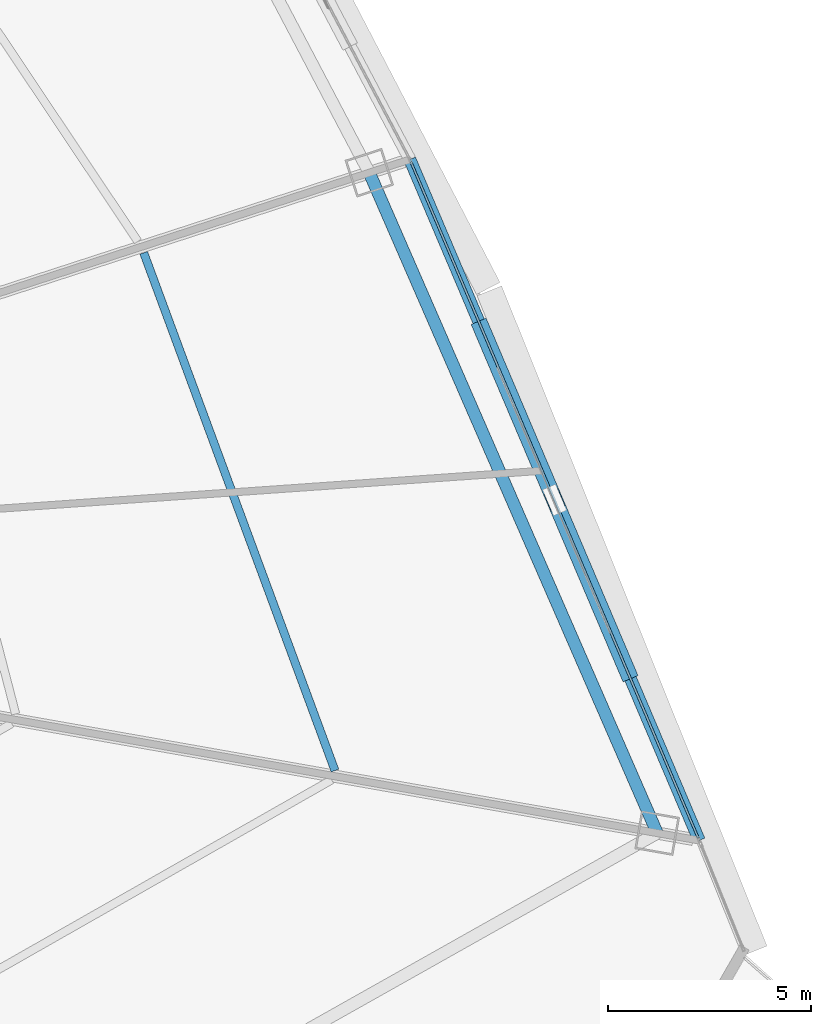
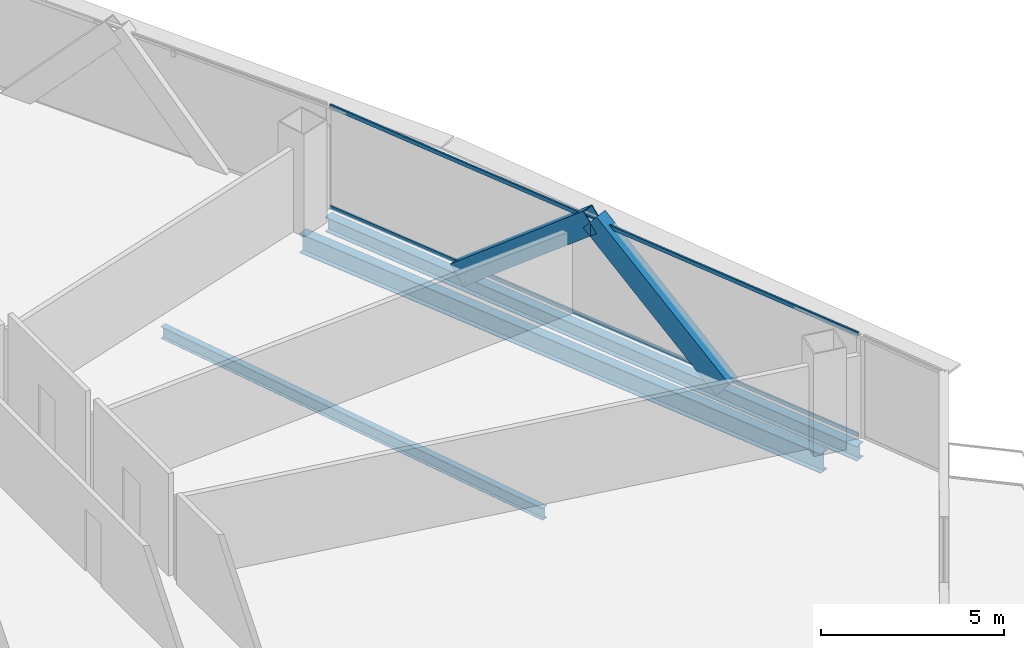
# One storey, part 27 of 39: 4 members, 3 beams, 1 element without a shape of its own.
"""IFC4 building model written with IfcOpenShell, lengths in metres."""

from ifc_helpers import new_model, si_unit, direction, frame, origin, origin_2d, place, context, subcontext, project, spatial, hollow_rectangle, i_section, extrude, source, transform, mapped, material, layer, layer_set, material_profile, profile_set, type_object, element, aggregate, save


model = new_model("IFC4")

# Units and contexts
model_context = context("Model", 3, precision=1e-05, world=origin(), true_north=direction((0.0, 1.0)))
body_context = subcontext(model_context, "Body", "Model", "MODEL_VIEW")
ifc_project = project(units=[si_unit("LENGTHUNIT", "METRE"), si_unit("AREAUNIT", "SQUARE_METRE"), si_unit("VOLUMEUNIT", "CUBIC_METRE"), si_unit("PLANEANGLEUNIT", "RADIAN"), si_unit("MASSUNIT", "GRAM", prefix="KILO"), si_unit("THERMODYNAMICTEMPERATUREUNIT", "KELVIN"), si_unit("POWERUNIT", "WATT")], contexts=[model_context])

# Site, building, storey
site_placement = place(None, origin())
site = spatial("IfcSite", under=ifc_project, at=site_placement, CompositionType="ELEMENT")
building_placement = place(site_placement, origin())
building = spatial("IfcBuilding", under=site, at=building_placement, Name="Yunzhuo Pagoda Commons", CompositionType="ELEMENT")
storey_placement = place(building_placement, frame((0.0, 0.0, 162.949951171875)))
storey = spatial("IfcBuildingStorey", under=building, at=storey_placement, Name="L41", CompositionType="ELEMENT", Elevation=162.949951171875)

# Beams
ifc_material_1 = material(Name="Structural steel Q355B", Category="steel")
ifc_material_profile_1 = material_profile(ifc_material_1, i_section(OverallWidth=0.300048828125, OverallDepth=0.64990234375, WebThickness=0.012939453125, FlangeThickness=0.02197265625, at=origin_2d()), Name="Structural steel Q355B")
ifc_profile_set_1 = profile_set([ifc_material_profile_1], Name="Structural steel Q355B")
beam_type_1 = type_object("IfcBeamType", Name="B-RG2 Beam HN 650x300x13x22", PredefinedType="BEAM", material=ifc_profile_set_1)
shared_shape_1 = source(origin(), body_context, "Body", "SweptSolid", [
    extrude(i_section(OverallWidth=0.300048828125, OverallDepth=0.64990234375, WebThickness=0.012939453125, FlangeThickness=0.02197265625, at=origin_2d()), origin(), (0.0, 0.0, 1.0), 17.72021484375),
])
beam_1_placement = place(storey_placement, frame((84.9970703125, 27.176513671875, -0.5849609375), z_axis=(-0.399643307961, 0.916670729544, 0.0), x_axis=(-0.916670729544, -0.399643307961, 0.0)))
element("IfcBeam", 1, at=beam_1_placement, inside=storey, type_object=beam_type_1, Name="L41 column-ring beam 5", PredefinedType="BEAM", context=body_context, shape_type="MappedRepresentation", body=[
    mapped(shared_shape_1, transform((0.0, 0.0, 0.0), scale=1.0)),
])
ifc_material_profile_2 = material_profile(ifc_material_1, i_section(OverallWidth=0.199951171875, OverallDepth=0.39990234375, WebThickness=0.008056640625, FlangeThickness=0.012939453125, at=origin_2d()), Name="Structural steel Q355B")
ifc_profile_set_2 = profile_set([ifc_material_profile_2], Name="Structural steel Q355B")
beam_type_2 = type_object("IfcBeamType", Name="B-JS1 Joist HN 400x200x8x13", PredefinedType="JOIST", material=ifc_profile_set_2)
shared_shape_2 = source(origin(), body_context, "Body", "SweptSolid", [
    extrude(i_section(OverallWidth=0.199951171875, OverallDepth=0.39990234375, WebThickness=0.008056640625, FlangeThickness=0.012939453125, at=origin_2d()), origin(), (0.0, 0.0, 1.0), 13.57763671875),
])
beam_2_placement = place(storey_placement, frame((77.07080078125, 28.71337890625, -0.4599609375), z_axis=(-0.346531829181, 0.938038214235, 0.0), x_axis=(-0.938038214235, -0.346531829181, 0.0)))
element("IfcBeam", 2, at=beam_2_placement, inside=storey, type_object=beam_type_2, Name="L41 composite ring joist 2.5", PredefinedType="JOIST", context=body_context, shape_type="MappedRepresentation", body=[
    mapped(shared_shape_2, transform((0.0, 0.0, 0.0), scale=1.0)),
])
ifc_material_profile_3 = material_profile(ifc_material_1, i_section(OverallWidth=0.300048828125, OverallDepth=0.488037109375, WebThickness=0.010986328125, FlangeThickness=0.01806640625, at=origin_2d()), Name="Structural steel Q355B")
ifc_profile_set_3 = profile_set([ifc_material_profile_3], Name="Structural steel Q355B")
beam_type_3 = type_object("IfcBeamType", Name="B-SP1 Beam HM 488x300x11x18", PredefinedType="BEAM", material=ifc_profile_set_3)
shared_shape_3 = source(origin(), body_context, "Body", "SweptSolid", [
    extrude(i_section(OverallWidth=0.300048828125, OverallDepth=0.488037109375, WebThickness=0.010986328125, FlangeThickness=0.01806640625, at=origin_2d()), origin(), (0.0, 0.0, 1.0), 18.199951171875),
])
beam_3_placement = place(storey_placement, frame((86.03125, 26.994140625, -0.50390625), z_axis=(-0.391069626014, 0.920361096314, 0.0), x_axis=(-0.920361096314, -0.391069626014, 0.0)))
element("IfcBeam", 3, at=beam_3_placement, inside=storey, type_object=beam_type_3, Name="L41 facade edge spandrel beam F2.1", PredefinedType="BEAM", context=body_context, shape_type="MappedRepresentation", body=[
    mapped(shared_shape_3, transform((0.0, 0.0, 0.0), scale=1.0)),
])

# Members
ifc_material_profile_4 = material_profile(ifc_material_1, hollow_rectangle(XDim=0.39990234375, YDim=0.719970703125, WallThickness=0.02392578125, at=origin_2d()), Name="Structural steel Q355B")
ifc_profile_set_4 = profile_set([ifc_material_profile_4], Name="Structural steel Q355B")
member_type_1 = type_object("IfcMemberType", Name="M-DL2 Brace BOX 720x400x24", PredefinedType="BRACE", material=ifc_profile_set_4)
shared_shape_4 = source(origin(), body_context, "Body", "SweptSolid", [
    extrude(hollow_rectangle(XDim=0.39990234375, YDim=0.719970703125, WallThickness=0.02392578125, at=origin_2d()), origin(), (0.0, 0.0, 1.0), 5.85205078125),
])
member_1_placement = place(storey_placement, frame((84.251953125, 31.181640625, -0.260009765625), z_axis=(-0.304083282209, 0.715590690044, 0.628858745509), x_axis=(-0.92035071495, -0.39109405709, 0.0)))
element("IfcMember", 4, at=member_1_placement, inside=storey, type_object=member_type_1, Name="L41 facade diamond brace F2.1L", PredefinedType="BRACE", context=body_context, shape_type="MappedRepresentation", body=[
    mapped(shared_shape_4, transform((0.0, 0.0, 0.0), scale=1.0)),
])
shared_shape_5 = source(origin(), body_context, "Body", "SweptSolid", [
    extrude(hollow_rectangle(XDim=0.39990234375, YDim=0.719970703125, WallThickness=0.02392578125, at=origin_2d()), origin(), (0.0, 0.0, 1.0), 5.851806640625),
])
member_2_placement = place(storey_placement, frame((80.693115234375, 39.556884765625, -0.260009765625), z_axis=(0.304054497982, -0.715579411277, 0.628885497061), x_axis=(0.920361821441, 0.391067919465, 0.0)))
element("IfcMember", 5, at=member_2_placement, inside=storey, type_object=member_type_1, Name="L41 facade diamond brace F2.1R", PredefinedType="BRACE", context=body_context, shape_type="MappedRepresentation", body=[
    mapped(shared_shape_5, transform((0.0, 0.0, 0.0), scale=1.0)),
])

# Curtain wall, members
ifc_material_2 = material(Name="Anodized aluminium 6063-T6", Category="aluminium")
ifc_layer = layer(ifc_material_2, 0.14990234375)
ifc_layer_set = layer_set([ifc_layer], Name="Anodized aluminium 6063-T6")
curtain_wall_type = type_object("IfcCurtainWallType", Name="CW-MID Mid-Zone Ribbon Curtain Wall", PredefinedType="NOTDEFINED", material=ifc_layer_set)
curtain_wall_placement = place(storey_placement, origin())
curtain_wall = element("IfcCurtainWall", 6, at=curtain_wall_placement, inside=storey, type_object=curtain_wall_type, Name="L41 curtain wall CW-L41-F2B2", PredefinedType="NOTDEFINED")
ifc_material_profile_5 = material_profile(ifc_material_2, hollow_rectangle(XDim=0.054931640625, YDim=0.1298828125, WallThickness=0.00341796875, at=origin_2d()), Name="Anodized aluminium 6063-T6")
ifc_profile_set_5 = profile_set([ifc_material_profile_5], Name="Anodized aluminium 6063-T6")
member_type_2 = type_object("IfcMemberType", Name="CW-MID-T Transom RHS 130x55x3.5", PredefinedType="USERDEFINED", material=ifc_profile_set_5)
shared_shape_6 = source(origin(), body_context, "Body", "SweptSolid", [
    extrude(hollow_rectangle(XDim=0.054931640625, YDim=0.1298828125, WallThickness=0.00341796875, at=origin_2d()), origin(), (0.0, 0.0, 1.0), 18.080078125),
])
member_3_placement = place(storey_placement, frame((86.008056640625, 27.04931640625, 0.027587890625), z_axis=(-0.391081736974, 0.920355950166, 0.0), x_axis=(-0.920355950166, -0.391081736974, 0.0)))
member_3 = element("IfcMember", 7, at=member_3_placement, type_object=member_type_2, Name="CW transom 1.1", ObjectType="TRANSOM", PredefinedType="USERDEFINED", context=body_context, shape_type="MappedRepresentation", body=[
    mapped(shared_shape_6, transform((0.0, 0.0, 0.0), scale=1.0)),
])
member_4_placement = place(storey_placement, frame((86.008056640625, 27.04931640625, 3.392578125), z_axis=(-0.391081736974, 0.920355950166, 0.0), x_axis=(-0.920355950166, -0.391081736974, 0.0)))
member_4 = element("IfcMember", 8, at=member_4_placement, type_object=member_type_2, Name="CW transom 1.2", ObjectType="TRANSOM", PredefinedType="USERDEFINED", context=body_context, shape_type="MappedRepresentation", body=[
    mapped(shared_shape_6, transform((0.0, 0.0, 0.0), scale=1.0)),
])
aggregate(curtain_wall, [member_3, member_4])

save(model, "model.ifc")
